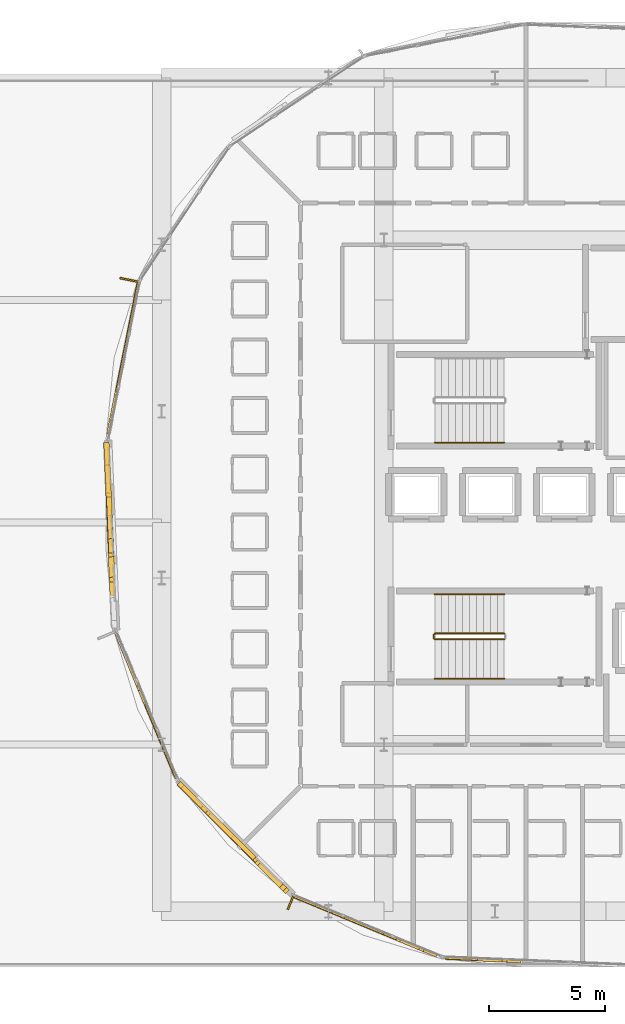
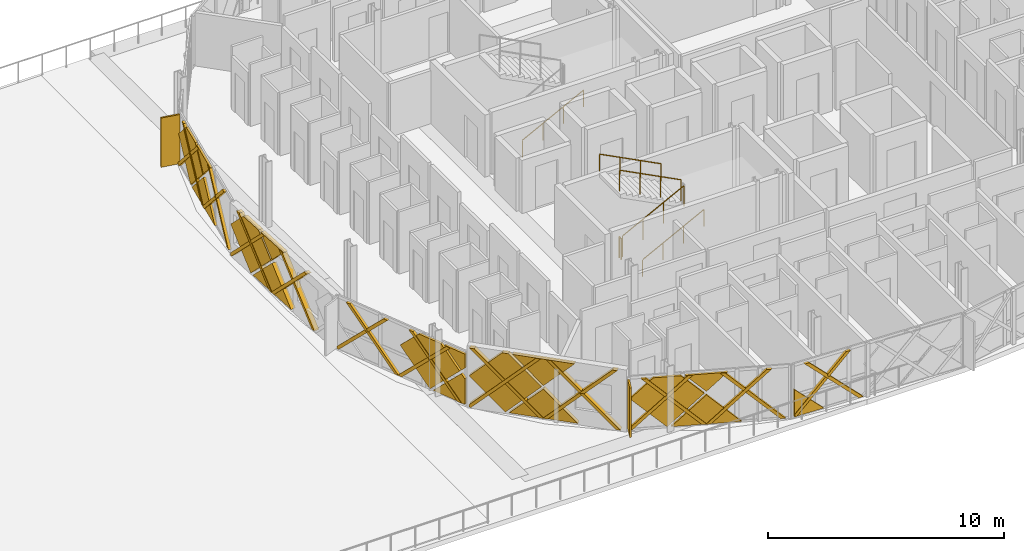
# One storey, part 41 of 53: 38 coverings, 6 railings, 2 shading devices.
"""IFC4 building model written with IfcOpenShell, lengths in metres."""

import ifcopenshell
import ifcopenshell.guid

model = None  # the IFC model being written
_history = None  # IfcOwnerHistory: only IFC2X3 demands one
_inside = {}  # id of a spatial element -> (the spatial element, [elements in it])
_under = {}  # id of a project, library or spatial element -> (it, [spatial elements below it])
_declared = {}  # id of a project -> (the project, [libraries it declares])
_typed = {}  # id of a type object -> (the type object, [elements of that type])
_made_of = {}  # id of a material, layer set ... -> (it, [elements and type objects made of it])


def new_model(schema):
    """Start an empty IFC model of exactly this schema.

    Asked for "IFC4X3", IfcOpenShell would pick the latest addendum, in which some entities
    have other attributes; the version numbers below select the first issue.
    IFC2X3 requires an IfcOwnerHistory on every rooted entity: one is made here for all.
    """
    global model, _history
    if schema == "IFC4X3":
        model = ifcopenshell.file(schema_version=(4, 3, 0, 0))
    else:
        model = ifcopenshell.file(schema=schema)
    _inside.clear()
    _under.clear()
    _declared.clear()
    _typed.clear()
    _made_of.clear()
    _history = None
    if model.schema == "IFC2X3":
        org = make("IfcOrganization", Name="unknown")
        user = make(
            "IfcPersonAndOrganization",
            ThePerson=make("IfcPerson", FamilyName="unknown"),
            TheOrganization=org,
        )
        app = make(
            "IfcApplication",
            ApplicationDeveloper=org,
            Version="unknown",
            ApplicationFullName="unknown",
            ApplicationIdentifier="unknown",
        )
        _history = make(
            "IfcOwnerHistory",
            OwningUser=user,
            OwningApplication=app,
            ChangeAction="ADDED",
            CreationDate=0,
        )
    return model


def make(cls, **values):
    """One entity of the class cls with the attributes given. An attribute that is None is left unset."""
    return model.create_entity(
        cls, **{name: value for name, value in values.items() if value is not None}
    )


def rooted(cls, **values):
    """An entity with a GlobalId (a new one), such as an element, a storey or a relation."""
    return make(cls, GlobalId=ifcopenshell.guid.new(), OwnerHistory=_history, **values)


def si_unit(unit_type, name, prefix=None):
    """IfcSIUnit, for example si_unit("LENGTHUNIT", "METRE", prefix="MILLI")."""
    return make("IfcSIUnit", UnitType=unit_type, Prefix=prefix, Name=name)


def assignment(units):
    """IfcUnitAssignment: the units of a project."""
    return None if units is None else make("IfcUnitAssignment", Units=units)


def point(xyz):
    """IfcCartesianPoint."""
    return None if xyz is None else make("IfcCartesianPoint", Coordinates=xyz)


def direction(xyz):
    """IfcDirection."""
    return None if xyz is None else make("IfcDirection", DirectionRatios=xyz)


def frame(location, z_axis=None, x_axis=None):
    """IfcAxis2Placement3D, a coordinate frame: its origin and axes. An axis left out is left unset."""
    return make(
        "IfcAxis2Placement3D",
        Location=point(location),
        Axis=direction(z_axis),
        RefDirection=direction(x_axis),
    )


def frame_2d(location, x_axis=None):
    """IfcAxis2Placement2D, a coordinate frame in the plane: its origin and x axis."""
    return make(
        "IfcAxis2Placement2D", Location=point(location), RefDirection=direction(x_axis)
    )


def origin():
    """The frame at (0, 0, 0) with its axes left unset."""
    return frame((0.0, 0.0, 0.0))


def origin_2d():
    """The frame at (0, 0) in the plane with its x axis left unset."""
    return frame_2d((0.0, 0.0))


def place(relative_to, where):
    """IfcLocalPlacement: puts the frame where relative to a parent placement (None: the world)."""
    return make(
        "IfcLocalPlacement", PlacementRelTo=relative_to, RelativePlacement=where
    )


def context(
    kind, dimensions, precision=None, world=None, true_north=None, identifier=None
):
    """IfcGeometricRepresentationContext, for example the 3D "Model" context."""
    return make(
        "IfcGeometricRepresentationContext",
        ContextIdentifier=identifier,
        ContextType=kind,
        CoordinateSpaceDimension=dimensions,
        Precision=precision,
        WorldCoordinateSystem=world,
        TrueNorth=true_north,
    )


def subcontext(parent, identifier, kind, view, scale=None):
    """IfcGeometricRepresentationSubContext, for example "Body" below "Model"."""
    return make(
        "IfcGeometricRepresentationSubContext",
        ContextIdentifier=identifier,
        ContextType=kind,
        ParentContext=parent,
        TargetScale=scale,
        TargetView=view,
    )


def project(units=None, contexts=None):
    """IfcProject with its units and contexts."""
    return rooted(
        "IfcProject",
        Name="project",
        RepresentationContexts=contexts,
        UnitsInContext=assignment(units),
    )


def spatial(cls, under=None, at=None, **own):
    """A site, building, storey or space (cls), placed at a placement, below another one or the project."""
    s = rooted(cls, ObjectPlacement=at, **own)
    if under is not None:
        _under.setdefault(under.id(), (under, []))[1].append(s)
    return s


def polyline(points):
    """IfcPolyline through the points."""
    return make("IfcPolyline", Points=[point(p) for p in points])


def profile(cls, at=None, kind="AREA", **sizes):
    """A parametric profile (cls). Its sizes go by their IFC names, for example OverallWidth=200.0."""
    return make(cls, ProfileType=kind, Position=at, **sizes)


def rectangle(**sizes):
    """IfcRectangleProfileDef."""
    return profile("IfcRectangleProfileDef", **sizes)


def circle(**sizes):
    """IfcCircleProfileDef."""
    return profile("IfcCircleProfileDef", **sizes)


def outline(outer, holes=None, kind="AREA"):
    """IfcArbitraryClosedProfileDef: a profile drawn as a closed curve; with holes, ...WithVoids."""
    if holes is None:
        return make("IfcArbitraryClosedProfileDef", ProfileType=kind, OuterCurve=outer)
    return make(
        "IfcArbitraryProfileDefWithVoids",
        ProfileType=kind,
        OuterCurve=outer,
        InnerCurves=holes,
    )


def extrude(swept, where, along, depth):
    """IfcExtrudedAreaSolid: the profile swept, set in the frame where, extruded along a direction by depth."""
    return make(
        "IfcExtrudedAreaSolid",
        SweptArea=swept,
        Position=where,
        ExtrudedDirection=direction(along),
        Depth=depth,
    )


def shape(context_of_items, identifier, shape_type, items):
    """IfcShapeRepresentation: the items that make up one representation, for example the "Body"."""
    return make(
        "IfcShapeRepresentation",
        ContextOfItems=context_of_items,
        RepresentationIdentifier=identifier,
        RepresentationType=shape_type,
        Items=items,
    )


def material(Name=None, Category=None):
    """IfcMaterial."""
    return make("IfcMaterial", Name=Name, Category=Category)


def layer(
    of_material, thickness, ventilated=None, Name=None, Category=None, Priority=None
):
    """IfcMaterialLayer: one layer of a wall or slab, of a material (None: an air gap)."""
    return make(
        "IfcMaterialLayer",
        Material=of_material,
        LayerThickness=thickness,
        IsVentilated=ventilated,
        Name=Name,
        Category=Category,
        Priority=Priority,
    )


def layer_set(layers, Name=None):
    """IfcMaterialLayerSet."""
    return make("IfcMaterialLayerSet", MaterialLayers=layers, LayerSetName=Name)


def made_of(thing, what):
    """Note that an element or type object is made of a material, layer set ...; save() writes the relation."""
    if what is not None:
        _made_of.setdefault(what.id(), (what, []))[1].append(thing)
    return thing


def type_object(cls, material=None, **own):
    """A type object (cls), such as IfcWallType, which elements share."""
    return made_of(rooted(cls, **own), material)


def element(
    cls,
    number,
    at=None,
    inside=None,
    cuts=None,
    type_object=None,
    material=None,
    context=None,
    identifier="Body",
    shape_type=None,
    held_by="IfcProductDefinitionShape",
    body=None,
    shapes=None,
    **own,
):
    """One element of the class cls, such as IfcWall. Its Tag is "e" and its number.

    at: its placement. inside: the storey or other place that contains it. cuts: it is an
    opening in that element (IfcRelVoidsElement). A single representation is given by context,
    identifier, shape_type and body (its items); several are given by shapes. held_by: the class
    of the entity that holds the representations. save() writes the other relations.
    """
    e = rooted(cls, Tag="e%d" % number, ObjectPlacement=at, **own)
    if body is not None:
        shapes = [shape(context, identifier, shape_type, body)]
    if shapes is not None:
        e.Representation = make(held_by, Representations=shapes)
    if inside is not None:
        _inside.setdefault(inside.id(), (inside, []))[1].append(e)
    if cuts is not None:
        rooted(
            "IfcRelVoidsElement", RelatingBuildingElement=cuts, RelatedOpeningElement=e
        )
    if type_object is not None:
        _typed.setdefault(type_object.id(), (type_object, []))[1].append(e)
    return made_of(e, material)


def aggregate(whole, parts):
    """IfcRelAggregates: a whole, such as a stair, and the parts it consists of."""
    return rooted("IfcRelAggregates", RelatingObject=whole, RelatedObjects=parts)


def save(model, path):
    """Write the relations noted so far, then the file.

    IfcRelAggregates (storeys below a building ...), IfcRelContainedInSpatialStructure (elements
    in a storey), IfcRelDefinesByType, IfcRelAssociatesMaterial and IfcRelDeclares: one each for
    every whole, place, type object, material and project.
    """
    for whole, parts in _under.values():
        aggregate(whole, parts)
    for where, things in _inside.values():
        rooted(
            "IfcRelContainedInSpatialStructure",
            RelatedElements=things,
            RelatingStructure=where,
        )
    for kind, things in _typed.values():
        rooted("IfcRelDefinesByType", RelatedObjects=things, RelatingType=kind)
    for what, things in _made_of.values():
        rooted("IfcRelAssociatesMaterial", RelatedObjects=things, RelatingMaterial=what)
    for by, libraries in _declared.values():
        rooted("IfcRelDeclares", RelatingContext=by, RelatedDefinitions=libraries)
    model.write(path)


model = new_model("IFC4")

# Units and contexts
model_context = context("Model", 3, precision=1e-05, world=origin(), true_north=direction((0.0, 1.0)))
body_context = subcontext(model_context, "Body", "Model", "MODEL_VIEW")
ifc_project = project(units=[si_unit("LENGTHUNIT", "METRE"), si_unit("AREAUNIT", "SQUARE_METRE"), si_unit("VOLUMEUNIT", "CUBIC_METRE"), si_unit("PLANEANGLEUNIT", "RADIAN"), si_unit("MASSUNIT", "GRAM", prefix="KILO")], contexts=[model_context])

# Site, building, storey
site_placement = place(None, origin())
site = spatial("IfcSite", under=ifc_project, at=site_placement, CompositionType="ELEMENT")
building_placement = place(site_placement, origin())
building = spatial("IfcBuilding", under=site, at=building_placement, Name="Zevrakil Square Congress Hotel", CompositionType="ELEMENT")
storey_placement = place(building_placement, frame((0.0, 0.0, 14.699951171875)))
storey = spatial("IfcBuildingStorey", under=building, at=storey_placement, Name="L04", CompositionType="ELEMENT", Elevation=14.699951171875)

# Coverings
ifc_material_1 = material(Name="Architectural White Fibre-C GRC", Category="concrete")
ifc_layer_1 = layer(ifc_material_1, 0.06494140625)
ifc_layer_set_1 = layer_set([ifc_layer_1], Name="Architectural White Fibre-C GRC")
covering_type_1 = type_object("IfcCoveringType", Name="COV-DIA-WHITE", PredefinedType="CLADDING", material=ifc_layer_set_1)
covering_1_placement = place(storey_placement, frame((125.509033203125, 33.549072265625, 1.590087890625), z_axis=(-0.980775849818, 0.195136643984, 0.000650068185), x_axis=(-0.138441050637, -0.693462768921, -0.707066802798)))
element("IfcCovering", 1, at=covering_1_placement, inside=storey, type_object=covering_type_1, Name="L04 45-degree white GRC diamond facade cassette 2283", PredefinedType="CLADDING", context=body_context, shape_type="SweptSolid", body=[
    extrude(outline(polyline([(0.0, 0.0), (2.1355970322025484, 2.220446049250313e-16), (-0.00014038760997481248, -2.135496842071842), (0.0, 0.0)])), origin(), (0.0, 0.0, -1.0), 0.1201171875),
])
covering_2_placement = place(storey_placement, frame((125.526611328125, 33.63720703125, 1.679931640625), z_axis=(-0.980786672054, 0.195082367935, 0.000611262739), x_axis=(0.137533125771, 0.693670297419, -0.707040421613)))
element("IfcCovering", 2, at=covering_2_placement, inside=storey, type_object=covering_type_1, Name="L04 45-degree white GRC diamond facade cassette 2284", PredefinedType="CLADDING", context=body_context, shape_type="SweptSolid", body=[
    extrude(outline(polyline([(0.0, 0.0), (2.2485897687934857, -2.220446049250313e-16), (2.248668032732887, -2.234437480080863), (2.2346860322078315, -2.2484220998315005), (0.8486604890093866, -2.24877344795404), (8.445193084627434e-06, -1.4002803336070746), (0.0, 0.0)])), origin(), (0.0, 0.0, -1.0), 0.1201171875),
])
covering_3_placement = place(storey_placement, frame((125.509033203125, 33.549072265625, 1.77001953125), z_axis=(-0.980767792268, 0.195176995308, 0.000691485755), x_axis=(0.138479244855, 0.693355221816, 0.7071647864)))
element("IfcCovering", 3, at=covering_3_placement, inside=storey, type_object=covering_type_1, Name="L04 45-degree white GRC diamond facade cassette 2285", PredefinedType="CLADDING", context=body_context, shape_type="SweptSolid", body=[
    extrude(outline(polyline([(0.0, 0.0), (1.2728949485128953, 0.0), (0.0002086100607002761, -1.2728957742873925), (0.0, 0.0)])), origin(), (0.0, 0.0, -1.0), 0.1201171875),
])
covering_4_placement = place(storey_placement, frame((124.85205078125, 26.59033203125, 1.590087890625), z_axis=(-0.999119271744, -0.041956703781, 0.000561995004), x_axis=(0.029269129742, -0.706460752641, -0.707146747869)))
element("IfcCovering", 4, at=covering_4_placement, inside=storey, type_object=covering_type_1, Name="L04 45-degree white GRC diamond facade cassette 2290", PredefinedType="CLADDING", context=body_context, shape_type="SweptSolid", body=[
    extrude(outline(polyline([(0.0, 0.0), (2.1353555965219746, 0.0), (1.8897248110993914e-05, -2.1355787788606304), (0.0, 0.0)])), origin(), (0.0, 0.0, -1.0), 0.219970703125),
])
covering_5_placement = place(storey_placement, frame((124.848388671875, 26.680419921875, 1.679931640625), z_axis=(-0.999117806956, -0.041990673129, 0.000625454425), x_axis=(-0.030133526378, 0.706458695231, -0.707112496369)))
element("IfcCovering", 5, at=covering_5_placement, inside=storey, type_object=covering_type_1, Name="L04 45-degree white GRC diamond facade cassette 2291", PredefinedType="CLADDING", context=body_context, shape_type="SweptSolid", body=[
    extrude(outline(polyline([(0.0, 0.0), (2.248360311116085, 0.0), (2.24843650511624, -2.234662988898283), (2.2344530792847235, -2.248646183218731), (0.8482676953731414, -2.2486965139453434), (-0.00028120409884557773, -1.4001336954033685), (0.0, 0.0)])), origin(), (0.0, 0.0, -1.0), 0.219970703125),
])
covering_6_placement = place(storey_placement, frame((124.852294921875, 26.590576171875, 1.77001953125), z_axis=(-0.999115443511, -0.042048029798, 0.000541966609), x_axis=(-0.029346194339, 0.70641852125, 0.707185742017)))
element("IfcCovering", 6, at=covering_6_placement, inside=storey, type_object=covering_type_1, Name="L04 45-degree white GRC diamond facade cassette 2293", PredefinedType="CLADDING", context=body_context, shape_type="SweptSolid", body=[
    extrude(outline(polyline([(0.0, 0.0), (1.2728572295693312, -1.1102230246251565e-16), (0.00025563099165415437, -1.2728862365817422), (0.0, 0.0)])), origin(), (0.0, 0.0, -1.0), 0.219970703125),
])
covering_7_placement = place(storey_placement, frame((127.7197265625, 15.497802734375, 1.590087890625), z_axis=(-0.92388494326, -0.382669900942, 0.000598773889), x_axis=(0.270170334614, -0.653382309073, -0.707177169092)))
element("IfcCovering", 7, at=covering_7_placement, inside=storey, type_object=covering_type_1, Name="L04 45-degree white GRC diamond facade cassette 2300", PredefinedType="CLADDING", context=body_context, shape_type="SweptSolid", body=[
    extrude(outline(polyline([(0.0, 0.0), (0.26272196199463266, -2.7755575615628914e-17), (1.1993003845459453, -0.9361500553525347), (0.00019872218424832333, -2.1354908492751), (0.0, 0.0)])), origin(), (0.0, 0.0, -1.0), 0.1201171875),
])
covering_8_placement = place(storey_placement, frame((127.685302734375, 15.580810546875, 1.679931640625), z_axis=(-0.923902725311, -0.382626898867, 0.000640644788), x_axis=(-0.271002285684, 0.653186667851, -0.707039559074)))
element("IfcCovering", 8, at=covering_8_placement, inside=storey, type_object=covering_type_1, Name="L04 45-degree white GRC diamond facade cassette 2301", PredefinedType="CLADDING", context=body_context, shape_type="SweptSolid", body=[
    extrude(outline(polyline([(0.0, 0.0), (2.248592360241622, 0.0), (2.2488095099530137, -2.2483828769483702), (0.8346218178212041, -2.248543267923124), (9.66994491053974e-05, -1.4141763411495518), (0.0, 0.0)])), origin(), (0.0, 0.0, -1.0), 0.1201171875),
])
covering_9_placement = place(storey_placement, frame((127.7197265625, 15.497802734375, 1.77001953125), z_axis=(-0.923822296254, -0.382820812681, 0.000768324281), x_axis=(-0.27018539557, 0.653429979222, 0.707127367788)))
element("IfcCovering", 9, at=covering_9_placement, inside=storey, type_object=covering_type_1, Name="L04 45-degree white GRC diamond facade cassette 2302", PredefinedType="CLADDING", context=body_context, shape_type="SweptSolid", body=[
    extrude(outline(polyline([(0.0, 0.0), (1.286772595575607, 0.0), (0.5120413447348222, -0.7747768081900195), (-3.2100589108713384e-05, -0.26278809455322283), (0.0, 0.0)])), origin(), (0.0, 0.0, -1.0), 0.1201171875),
])
covering_10_placement = place(storey_placement, frame((130.17236328125, 12.7744140625, 1.590087890625), z_axis=(-0.707106614827, -0.707106614827, 0.000685956296), x_axis=(0.499688110054, -0.500374023726, -0.70706267689)))
element("IfcCovering", 10, at=covering_10_placement, inside=storey, type_object=covering_type_1, Name="L04 45-degree white GRC diamond facade cassette 2307", PredefinedType="CLADDING", context=body_context, shape_type="SweptSolid", body=[
    extrude(outline(polyline([(0.0, 0.0), (2.1356094940087047, 0.0), (-2.1239432958841675e-05, -2.1353653520635065), (0.0, 0.0)])), origin(), (0.0, 0.0, -1.0), 0.2099609375),
])
covering_11_placement = place(storey_placement, frame((130.108642578125, 12.837890625, 1.679931640625), z_axis=(-0.707143542499, -0.707069789331, 0.000568609886), x_axis=(-0.500275605393, 0.499759168451, -0.707082097212)))
element("IfcCovering", 11, at=covering_11_placement, inside=storey, type_object=covering_type_1, Name="L04 45-degree white GRC diamond facade cassette 2308", PredefinedType="CLADDING", context=body_context, shape_type="SweptSolid", body=[
    extrude(outline(polyline([(0.0, 0.0), (2.2484569783863684, -2.220446049250313e-16), (2.2485601322553492, -2.2345936886813904), (2.234577307579035, -2.2485774850902494), (0.19090890659888005, -2.248615790351759), (-1.5701102765719455e-05, -2.057704461303545), (0.0, 0.0)])), origin(), (0.0, 0.0, -1.0), 0.2099609375),
])
covering_12_placement = place(storey_placement, frame((130.17236328125, 12.7744140625, 1.77001953125), z_axis=(-0.707061948463, -0.707151382051, 0.00056912138), x_axis=(-0.499719561869, 0.500225478915, 0.707145550597)))
element("IfcCovering", 12, at=covering_12_placement, inside=storey, type_object=covering_type_1, Name="L04 45-degree white GRC diamond facade cassette 2309", PredefinedType="CLADDING", context=body_context, shape_type="SweptSolid", body=[
    extrude(outline(polyline([(0.0, 0.0), (1.9302818680281644, 1.1102230246251565e-16), (9.016587972299206e-05, -1.930404002858788), (0.0, 0.0)])), origin(), (0.0, 0.0, -1.0), 0.2099609375),
])
covering_13_placement = place(storey_placement, frame((135.93798828125, 8.943359375, 1.590087890625), z_axis=(-0.382680111763, -0.923880650051, 0.000690306026), x_axis=(0.65312018165, -0.271056879169, -0.707080049624)))
element("IfcCovering", 13, at=covering_13_placement, inside=storey, type_object=covering_type_1, Name="L04 45-degree white GRC diamond facade cassette 2314", PredefinedType="CLADDING", context=body_context, shape_type="SweptSolid", body=[
    extrude(outline(polyline([(0.0, 0.0), (2.135557022754429, 2.220446049250313e-16), (-0.00011041427235092272, -2.1355069895912147), (0.0, 0.0)])), origin(), (0.0, 0.0, -1.0), 0.1201171875),
])
covering_14_placement = place(storey_placement, frame((135.854736328125, 8.977783203125, 1.679931640625), z_axis=(-0.382678783917, -0.92388127954, 0.000574156763), x_axis=(-0.653458509129, 0.270228151279, -0.707084664735)))
element("IfcCovering", 14, at=covering_14_placement, inside=storey, type_object=covering_type_1, Name="L04 45-degree white GRC diamond facade cassette 2315", PredefinedType="CLADDING", context=body_context, shape_type="SweptSolid", body=[
    extrude(outline(polyline([(0.0, 0.0), (2.2484488557678945, -2.220446049250313e-16), (2.2485193715330114, -2.2345692462890203), (2.2345364960829213, -2.248552991838812), (0.8343303334369535, -2.2484482305839526), (1.781025012825843e-05, -1.4141877003168686), (0.0, 0.0)])), origin(), (0.0, 0.0, -1.0), 0.1201171875),
])
covering_15_placement = place(storey_placement, frame((135.93798828125, 8.943359375, 1.77001953125), z_axis=(-0.38260450095, -0.923912061026, 0.000547122719), x_axis=(-0.653190612518, 0.270913794562, 0.707069826562)))
element("IfcCovering", 15, at=covering_15_placement, inside=storey, type_object=covering_type_1, Name="L04 45-degree white GRC diamond facade cassette 2316", PredefinedType="CLADDING", context=body_context, shape_type="SweptSolid", body=[
    extrude(outline(polyline([(0.0, 0.0), (1.2868773000806843, 0.0), (-2.9411467146078785e-05, -1.2867725952937015), (0.0, 0.0)])), origin(), (0.0, 0.0, -1.0), 0.1201171875),
])
covering_16_placement = place(storey_placement, frame((140.846923828125, 7.476806640625, 0.080078125), z_axis=(-0.041896976146, -0.999121691481, 0.000699287228), x_axis=(-0.999121935767, 0.04189698639, 0.0)))
element("IfcCovering", 16, at=covering_16_placement, inside=storey, type_object=covering_type_1, Name="L04 45-degree white GRC diamond facade cassette 2321", PredefinedType="CLADDING", context=body_context, shape_type="SweptSolid", body=[
    extrude(outline(polyline([(0.0, 0.0), (1.4101737700243122, 0.0), (1.4099707587962338, -1.4099124541004895), (0.0, 0.0)])), origin(), (0.0, 0.0, -1.0), 0.1201171875),
])
ifc_material_2 = material(Name="Anodised Champagne Aluminium", Category="aluminium")
ifc_layer_2 = layer(ifc_material_2, 0.0849609375)
ifc_layer_set_2 = layer_set([ifc_layer_2], Name="Anodised Champagne Aluminium")
covering_type_2 = type_object("IfcCoveringType", Name="COV-DIAGRID-45", PredefinedType="MOLDING", material=ifc_layer_set_2)
covering_17_placement = place(storey_placement, frame((126.102783203125, 36.6669921875, 0.080078125), z_axis=(-0.980857672001, 0.194725822056, 0.000285482828), x_axis=(0.194725829838, 0.980857712002, -5.47954e-07)))
element("IfcCovering", 17, at=covering_17_placement, inside=storey, type_object=covering_type_2, Name="L04 45-degree aluminium diagrid rib 2286", PredefinedType="MOLDING", context=body_context, shape_type="SweptSolid", body=[
    extrude(outline(polyline([(0.0, 0.0), (0.08608840937051795, 0.0), (0.08613588082699201, -0.1259766257562357), (-2.3779128699756718, -2.5900866679123276), (-2.5899732791231918, -2.5900865615720754), (0.0, 0.0)])), origin(), (0.0, 0.0, -1.0), 0.14501953125),
])
covering_18_placement = place(storey_placement, frame((125.447265625, 33.37158203125, 0.080078125), z_axis=(-0.980779218513, 0.195119809317, 0.000620116726), x_axis=(0.195119847046, 0.980779407048, 3.50024e-07)))
element("IfcCovering", 18, at=covering_18_placement, inside=storey, type_object=covering_type_2, Name="L04 45-degree aluminium diagrid rib 2287", PredefinedType="MOLDING", context=body_context, shape_type="SweptSolid", body=[
    extrude(outline(polyline([(0.0, 0.0), (0.21210801484432787, 0.0), (-2.377910090779891, -2.5900892209531405), (-2.5899704689428114, -2.5900893694222367), (0.0, 0.0)])), origin(), (0.0, 0.0, -1.0), 0.14501953125),
])
covering_19_placement = place(storey_placement, frame((126.026611328125, 36.276611328125, 2.670166015625), z_axis=(-0.980801096102, 0.195009719401, 0.000647474708), x_axis=(-0.195009759999, -0.980801301745, 4.37744e-07)))
element("IfcCovering", 19, at=covering_19_placement, inside=storey, type_object=covering_type_2, Name="L04 45-degree aluminium diagrid rib 2288", PredefinedType="MOLDING", context=body_context, shape_type="SweptSolid", body=[
    extrude(outline(polyline([(0.0, 0.0), (0.2122998437081119, 0.0), (2.8021708299829466, -2.5900896601732337), (2.590062829912956, -2.59008947439102), (0.0, 0.0)])), origin(), (0.0, 0.0, -1.0), 0.14501953125),
])
covering_20_placement = place(storey_placement, frame((125.37109375, 32.98095703125, 2.670166015625), z_axis=(-0.980801096102, 0.195009719401, 0.000647474708), x_axis=(-0.195009760091, -0.980801301727, 2.92874e-07)))
element("IfcCovering", 20, at=covering_20_placement, inside=storey, type_object=covering_type_2, Name="L04 45-degree aluminium diagrid rib 2289", PredefinedType="MOLDING", context=body_context, shape_type="SweptSolid", body=[
    extrude(outline(polyline([(0.0, 0.0), (0.2120603902653053, -3.3881317890172014e-21), (2.802171205210871, -2.5900892542209184), (2.5898237516980513, -2.5900891299229416), (0.0, 0.0)])), origin(), (0.0, 0.0, -1.0), 0.14501953125),
])
covering_21_placement = place(storey_placement, frame((124.693115234375, 29.760498046875, 0.080078125), z_axis=(-0.999117130594, -0.04200779731, 0.000551651077), x_axis=(-0.042007803875, 0.999117282612, -3.13173e-07)))
element("IfcCovering", 21, at=covering_21_placement, inside=storey, type_object=covering_type_2, Name="L04 45-degree aluminium diagrid rib 2294", PredefinedType="MOLDING", context=body_context, shape_type="SweptSolid", body=[
    extrude(outline(polyline([(0.0, 0.0), (0.08601547864684166, -8.470329472543003e-22), (0.08601543919435495, -0.1259765433314672), (-2.3778922944721446, -2.590087540479302), (-2.589988505958108, -2.5900874074500315), (0.0, 0.0)])), origin(), (0.0, 0.0, -1.0), 0.2451171875),
])
covering_22_placement = place(storey_placement, frame((124.833984375, 26.403564453125, 0.080078125), z_axis=(-0.999115888386, -0.042037729021, 0.000520493434), x_axis=(-0.042037734554, 0.99911602373, 3.11894e-07)))
element("IfcCovering", 22, at=covering_22_placement, inside=storey, type_object=covering_type_2, Name="L04 45-degree aluminium diagrid rib 2295", PredefinedType="MOLDING", context=body_context, shape_type="SweptSolid", body=[
    extrude(outline(polyline([(0.0, 0.0), (0.21209620777376323, 8.470329472543003e-22), (-2.378134642063596, -2.5900889831963445), (-2.589997188145666, -2.590089115426615), (0.0, 0.0)])), origin(), (0.0, 0.0, -1.0), 0.2451171875),
])
covering_23_placement = place(storey_placement, frame((124.711181640625, 29.363037109375, 2.670166015625), z_axis=(-0.999093061083, -0.042563550098, 0.001183004567), x_axis=(0.042563579916, -0.999093760197, 2.8979e-08)))
element("IfcCovering", 23, at=covering_23_placement, inside=storey, type_object=covering_type_2, Name="L04 45-degree aluminium diagrid rib 2297", PredefinedType="MOLDING", context=body_context, shape_type="SweptSolid", body=[
    extrude(outline(polyline([(0.0, 0.0), (0.2121065030048717, 1.6940658945086007e-21), (2.802213671519542, -2.590089784245488), (2.589863249139622, -2.590089771945229), (0.0, 0.0)])), origin(), (0.0, 0.0, -1.0), 0.2451171875),
])
covering_24_placement = place(storey_placement, frame((124.852294921875, 26.006103515625, 2.670166015625), z_axis=(-0.999116868115, -0.042013554938, 0.000587408691), x_axis=(0.042013561988, -0.999117040496, -3.3778e-07)))
element("IfcCovering", 24, at=covering_24_placement, inside=storey, type_object=covering_type_2, Name="L04 45-degree aluminium diagrid rib 2298", PredefinedType="MOLDING", context=body_context, shape_type="SweptSolid", body=[
    extrude(outline(polyline([(0.0, 0.0), (0.21209621078658944, 8.470329472543003e-22), (2.802215883647075, -2.5900873909464726), (2.5901094156432034, -2.590087534233637), (0.0, 0.0)])), origin(), (0.0, 0.0, -1.0), 0.2451171875),
])
covering_25_placement = place(storey_placement, frame((125.1953125, 21.5244140625, 0.080078125), z_axis=(-0.923943195244, -0.38252892309, 0.000771337871), x_axis=(-0.382529036928, 0.923943470082, -6.0996e-08)))
element("IfcCovering", 25, at=covering_25_placement, inside=storey, type_object=covering_type_2, Name="L04 45-degree aluminium diagrid rib 2303", PredefinedType="MOLDING", context=body_context, shape_type="SweptSolid", body=[
    extrude(outline(polyline([(0.0, 0.0), (0.08614428496874284, 0.0), (0.0860508864065392, -0.12597669901098824), (-2.3879412396746833, -2.5998541213019584), (-2.6001748275098318, -2.5998542029582623), (0.0, 0.0)])), origin(), (0.0, 0.0, -1.0), 0.14501953125),
])
covering_26_placement = place(storey_placement, frame((126.481201171875, 18.420166015625, 0.080078125), z_axis=(-0.923841302303, -0.382775368244, 0.000515387888), x_axis=(-0.382775419158, 0.923841424969, -1.60391e-07)))
element("IfcCovering", 26, at=covering_26_placement, inside=storey, type_object=covering_type_2, Name="L04 45-degree aluminium diagrid rib 2304", PredefinedType="MOLDING", context=body_context, shape_type="SweptSolid", body=[
    extrude(outline(polyline([(0.0, 0.0), (0.21223361299549906, 0.0), (-2.38794194033116, -2.59985347791302), (-2.5998565550736985, -2.5998534098834063), (0.0, 0.0)])), origin(), (0.0, 0.0, -1.0), 0.14501953125),
])
covering_27_placement = place(storey_placement, frame((125.34521484375, 21.16650390625, 2.679931640625), z_axis=(-0.923756641492, -0.382978906853, 0.000907857056), x_axis=(0.382979065085, -0.923757022007, 4.82873e-07)))
element("IfcCovering", 27, at=covering_27_placement, inside=storey, type_object=covering_type_2, Name="L04 45-degree aluminium diagrid rib 2305", PredefinedType="MOLDING", context=body_context, shape_type="SweptSolid", body=[
    extrude(outline(polyline([(0.0, 0.0), (0.212008095781872, -1.3552527156068805e-20), (2.8118688202168705, -2.5998559448066296), (2.59995422518331, -2.5998557401058484), (0.0, 0.0)])), origin(), (0.0, 0.0, -1.0), 0.14501953125),
])
covering_28_placement = place(storey_placement, frame((126.631103515625, 18.0625, 2.679931640625), z_axis=(-0.923721722079, -0.383062681759, 0.001077962882), x_axis=(0.383062904319, -0.923722258763, 0.0)))
element("IfcCovering", 28, at=covering_28_placement, inside=storey, type_object=covering_type_2, Name="L04 45-degree aluminium diagrid rib 2306", PredefinedType="MOLDING", context=body_context, shape_type="SweptSolid", body=[
    extrude(outline(polyline([(0.0, 0.0), (0.21223362327273487, 1.3552527156068805e-20), (2.8123208860710704, -2.599855026146376), (2.600087262798336, -2.599855026146376), (0.0, 0.0)])), origin(), (0.0, 0.0, -1.0), 0.14501953125),
])
covering_29_placement = place(storey_placement, frame((127.90966796875, 15.000244140625, 0.080078125), z_axis=(-0.707265602611, -0.706947428242, 0.000837296072), x_axis=(-0.706947676162, 0.707265850419, -1.88378e-07)))
element("IfcCovering", 29, at=covering_29_placement, inside=storey, type_object=covering_type_2, Name="L04 45-degree aluminium diagrid rib 2310", PredefinedType="MOLDING", context=body_context, shape_type="SweptSolid", body=[
    extrude(outline(polyline([(0.0, 0.0), (0.08597147659148055, 0.0), (0.08614412518708064, -0.1259766628864768), (-2.842755780838946, -3.0549321597712), (-3.055094970010675, -3.0549321597712), (0.0, 0.0)])), origin(), (0.0, 0.0, -1.0), 0.235107421875),
])
covering_30_placement = place(storey_placement, frame((130.28564453125, 12.62451171875, 0.080078125), z_axis=(-0.706818917625, -0.707394503063, 0.000186341933), x_axis=(-0.707394515355, 0.706818929887, -7.578e-08)))
element("IfcCovering", 30, at=covering_30_placement, inside=storey, type_object=covering_type_2, Name="L04 45-degree aluminium diagrid rib 2311", PredefinedType="MOLDING", context=body_context, shape_type="SweptSolid", body=[
    extrude(outline(polyline([(0.0, 0.0), (0.21216661374353818, -3.3881317890172014e-21), (-2.842929036687849, -3.0549314782279255), (-3.0549229466922867, -3.05493144608525), (0.0, 0.0)])), origin(), (0.0, 0.0, -1.0), 0.235107421875),
])
covering_31_placement = place(storey_placement, frame((127.863525390625, 15.049072265625, 3.135009765625), z_axis=(-0.707106668284, -0.707106668284, 0.000565097633), x_axis=(0.707106781003, -0.70710678137, -4.59803e-07)))
element("IfcCovering", 31, at=covering_31_placement, inside=storey, type_object=covering_type_2, Name="L04 45-degree aluminium diagrid rib 2312", PredefinedType="MOLDING", context=body_context, shape_type="SweptSolid", body=[
    extrude(outline(polyline([(0.0, 0.0), (0.21216656105428683, 6.776263578034403e-21), (3.2672628648067525, -3.0549306261026574), (3.0550963037525554, -3.054930821212212), (0.0, 0.0)])), origin(), (0.0, 0.0, -1.0), 0.235107421875),
])
covering_32_placement = place(storey_placement, frame((130.239501953125, 12.673095703125, 3.135009765625), z_axis=(-0.706818576247, -0.707394161407, 0.001000339684), x_axis=(0.707394515057, -0.706818930185, -4.07138e-07)))
element("IfcCovering", 32, at=covering_32_placement, inside=storey, type_object=covering_type_2, Name="L04 45-degree aluminium diagrid rib 2313", PredefinedType="MOLDING", context=body_context, shape_type="SweptSolid", body=[
    extrude(outline(polyline([(0.0, 0.0), (0.21199391000445733, 0.0), (3.266916463738729, -3.0549318390421223), (3.054749849995244, -3.0549320117342686), (0.0, 0.0)])), origin(), (0.0, 0.0, -1.0), 0.235107421875),
])
covering_33_placement = place(storey_placement, frame((132.99560546875, 10.134033203125, 0.080078125), z_axis=(-0.382903958987, -0.923787794344, 0.000818054133), x_axis=(-0.923788103255, 0.382904087579, 6.21963e-07)))
element("IfcCovering", 33, at=covering_33_placement, inside=storey, type_object=covering_type_2, Name="L04 45-degree aluminium diagrid rib 2317", PredefinedType="MOLDING", context=body_context, shape_type="SweptSolid", body=[
    extrude(outline(polyline([(0.0, 0.0), (0.08591874643089377, -3.3881317890172014e-21), (0.0859188247836247, -0.12597652034741932), (-2.387945951494248, -2.599855903209658), (-2.6001795716303144, -2.5998560053616218), (0.0, 0.0)])), origin(), (0.0, 0.0, -1.0), 0.14501953125),
])
covering_34_placement = place(storey_placement, frame((136.099853515625, 8.84814453125, 0.080078125), z_axis=(-0.382571922959, -0.92392557635, 0.000503120745), x_axis=(-0.923925693338, 0.382571971255, -2.67483e-07)))
element("IfcCovering", 34, at=covering_34_placement, inside=storey, type_object=covering_type_2, Name="L04 45-degree aluminium diagrid rib 2318", PredefinedType="MOLDING", context=body_context, shape_type="SweptSolid", body=[
    extrude(outline(polyline([(0.0, 0.0), (0.21214019194507452, -6.776263578034403e-21), (-2.387948888449431, -2.5998532059402435), (-2.6001824817546755, -2.5998530924274226), (0.0, 0.0)])), origin(), (0.0, 0.0, -1.0), 0.14501953125),
])
covering_35_placement = place(storey_placement, frame((133.3544921875, 9.987060546875, 2.679931640625), z_axis=(-0.382571872864, -0.923925455367, 0.000717647922), x_axis=(0.923925693182, -0.382571971632, -3.81368e-07)))
element("IfcCovering", 35, at=covering_35_placement, inside=storey, type_object=covering_type_2, Name="L04 45-degree aluminium diagrid rib 2319", PredefinedType="MOLDING", context=body_context, shape_type="SweptSolid", body=[
    extrude(outline(polyline([(0.0, 0.0), (0.21223359330528244, 0.0), (2.8123159471255335, -2.5998531125841344), (2.600175755180513, -2.599853274426774), (0.0, 0.0)])), origin(), (0.0, 0.0, -1.0), 0.14501953125),
])
covering_36_placement = place(storey_placement, frame((136.458984375, 8.701171875, 2.679931640625), z_axis=(-0.382283762738, -0.924044336136, 0.001090689073), x_axis=(0.924044885659, -0.382283990363, -2.4018e-07)))
element("IfcCovering", 36, at=covering_36_placement, inside=storey, type_object=covering_type_2, Name="L04 45-degree aluminium diagrid rib 2320", PredefinedType="MOLDING", context=body_context, shape_type="SweptSolid", body=[
    extrude(outline(polyline([(0.0, 0.0), (0.21191461989717528, 1.3552527156068805e-20), (2.812089265053041, -2.599854386616157), (2.599949048259953, -2.5998544884654997), (0.0, 0.0)])), origin(), (0.0, 0.0, -1.0), 0.14501953125),
])
covering_37_placement = place(storey_placement, frame((139.523193359375, 7.50732421875, 0.080078125), z_axis=(-0.042196374029, -0.999108987655, 0.000834749092), x_axis=(-0.99910933574, 0.042196388911, 2.1574e-07)))
element("IfcCovering", 37, at=covering_37_placement, inside=storey, type_object=covering_type_2, Name="L04 45-degree aluminium diagrid rib 2325", PredefinedType="MOLDING", context=body_context, shape_type="SweptSolid", body=[
    extrude(outline(polyline([(0.0, 0.0), (0.0862594095092493, -4.235164736271502e-22), (0.08625943668742922, -0.12597651860937412), (-2.3777572279401418, -2.5900893294848566), (-2.5898637147106562, -2.590089305835821), (0.0, 0.0)])), origin(), (0.0, 0.0, -1.0), 0.14501953125),
])
covering_38_placement = place(storey_placement, frame((139.920654296875, 7.4921875, 2.670166015625), z_axis=(-0.041439000778, -0.9991403521, 0.00116876896), x_axis=(0.999141034524, -0.041439029082, 0.0)))
element("IfcCovering", 38, at=covering_38_placement, inside=storey, type_object=covering_type_2, Name="L04 45-degree aluminium diagrid rib 2328", PredefinedType="MOLDING", context=body_context, shape_type="SweptSolid", body=[
    extrude(outline(polyline([(0.0, 0.0), (0.2120962458528741, 0.0), (2.8020928928401565, -2.5900896596838856), (2.589996646987282, -2.5900896596838856), (0.0, 0.0)])), origin(), (0.0, 0.0, -1.0), 0.14501953125),
])

# Railings
ifc_material_3 = material(Name="Steel S355", Category="steel")
railing_type_1 = type_object("IfcRailingType", Name="RLG-STAIR-GUARD-1100", PredefinedType="BALUSTRADE", material=ifc_material_3)
railing_1_placement = place(storey_placement, frame((139.0, 21.35009765625, 0.154541015625)))
element("IfcRailing", 39, at=railing_1_placement, inside=storey, type_object=railing_type_1, Name="L04 ST01 stair guard 1", PredefinedType="BALUSTRADE", context=body_context, shape_type="SweptSolid", body=[
    extrude(circle(Radius=0.02392578125, at=origin_2d()), frame((0.0, 0.0, 1.076171875), z_axis=(0.888979911393, 0.0, 0.45794619459), x_axis=(0.0, 1.0, 0.0)), (0.0, 0.0, 1.0), 3.374755859375),
    extrude(circle(Radius=0.02099609375, at=origin_2d()), origin(), (0.0, 0.0, 1.0), 1.052001953125),
    extrude(circle(Radius=0.02099609375, at=origin_2d()), frame((1.0, 0.0, 0.51513671875)), (0.0, 0.0, 1.0), 1.052001953125),
    extrude(circle(Radius=0.02099609375, at=origin_2d()), frame((2.0, 0.0, 1.0302734375)), (0.0, 0.0, 1.0), 1.052001953125),
    extrude(circle(Radius=0.02099609375, at=origin_2d()), frame((3.0, 0.0, 1.54541015625)), (0.0, 0.0, 1.0), 1.052001953125),
])
railing_2_placement = place(storey_placement, frame((142.0, 21.60009765625, 1.8544921875)))
element("IfcRailing", 40, at=railing_2_placement, inside=storey, type_object=railing_type_1, Name="L04 ST01 stair guard 3", PredefinedType="BALUSTRADE", context=body_context, shape_type="SweptSolid", body=[
    extrude(circle(Radius=0.02392578125, at=origin_2d()), frame((0.0, 0.0, 1.076171875), z_axis=(-0.888950458371, 0.0, 0.45800336523), x_axis=(0.0, -1.0, 0.0)), (0.0, 0.0, 1.0), 3.374755859375),
    extrude(circle(Radius=0.02099609375, at=origin_2d()), origin(), (0.0, 0.0, 1.0), 1.052001953125),
    extrude(circle(Radius=0.02099609375, at=origin_2d()), frame((-1.0, 0.0, 0.51513671875)), (0.0, 0.0, 1.0), 1.052001953125),
    extrude(circle(Radius=0.02099609375, at=origin_2d()), frame((-2.0, 0.0, 1.030517578125)), (0.0, 0.0, 1.0), 1.052001953125),
    extrude(circle(Radius=0.02099609375, at=origin_2d()), frame((-3.0, 0.0, 1.545654296875)), (0.0, 0.0, 1.0), 1.052001953125),
])
railing_3_placement = place(storey_placement, frame((138.949951171875, 21.39990234375, 0.0)))
element("IfcRailing", 41, at=railing_3_placement, inside=storey, type_object=railing_type_1, Name="L04 ST01 stair guard 4", PredefinedType="BALUSTRADE", context=body_context, shape_type="SweptSolid", body=[
    extrude(circle(Radius=0.02392578125, at=origin_2d()), frame((0.0, 0.0, 1.076171875), z_axis=(0.0, 1.0, 0.0), x_axis=(-1.0, 0.0, 0.0)), (0.0, 0.0, 1.0), 0.150146484375),
    extrude(circle(Radius=0.02099609375, at=origin_2d()), origin(), (0.0, 0.0, 1.0), 1.052001953125),
    extrude(circle(Radius=0.02099609375, at=origin_2d()), frame((0.0, 0.150146484375, 0.0)), (0.0, 0.0, 1.0), 1.052001953125),
])
ifc_material_4 = material(Name="Steel S355", Category="steel")
railing_type_2 = type_object("IfcRailingType", Name="RLG-STAIR-HAND-900", PredefinedType="HANDRAIL", material=ifc_material_4)
railing_4_placement = place(storey_placement, frame((139.0, 19.64990234375, 0.154541015625)))
element("IfcRailing", 42, at=railing_4_placement, inside=storey, type_object=railing_type_2, Name="L04 ST01 stair handrail 1", PredefinedType="HANDRAIL", context=body_context, shape_type="SweptSolid", body=[
    extrude(circle(Radius=0.02392578125, at=origin_2d()), frame((0.0, 0.0, 0.8759765625), z_axis=(0.888979911393, 0.0, 0.45794619459), x_axis=(0.0, 1.0, 0.0)), (0.0, 0.0, 1.0), 3.374755859375),
    extrude(circle(Radius=0.02099609375, at=origin_2d()), origin(), (0.0, 0.0, 1.0), 0.851806640625),
    extrude(circle(Radius=0.02099609375, at=origin_2d()), frame((1.0, 0.0, 0.51513671875)), (0.0, 0.0, 1.0), 0.851806640625),
    extrude(circle(Radius=0.02099609375, at=origin_2d()), frame((2.0, 0.0, 1.0302734375)), (0.0, 0.0, 1.0), 0.851806640625),
    extrude(circle(Radius=0.02099609375, at=origin_2d()), frame((3.0, 0.0, 1.54541015625)), (0.0, 0.0, 1.0), 0.851806640625),
])
railing_5_placement = place(storey_placement, frame((142.0, 23.300048828125, 1.8544921875)))
element("IfcRailing", 43, at=railing_5_placement, inside=storey, type_object=railing_type_2, Name="L04 ST01 stair handrail 2", PredefinedType="HANDRAIL", context=body_context, shape_type="SweptSolid", body=[
    extrude(circle(Radius=0.02392578125, at=origin_2d()), frame((0.0, 0.0, 0.8759765625), z_axis=(-0.888950458371, 0.0, 0.45800336523), x_axis=(0.0, -1.0, 0.0)), (0.0, 0.0, 1.0), 3.374755859375),
    extrude(circle(Radius=0.02099609375, at=origin_2d()), origin(), (0.0, 0.0, 1.0), 0.851806640625),
    extrude(circle(Radius=0.02099609375, at=origin_2d()), frame((-1.0, 0.0, 0.51513671875)), (0.0, 0.0, 1.0), 0.851806640625),
    extrude(circle(Radius=0.02099609375, at=origin_2d()), frame((-2.0, 0.0, 1.030517578125)), (0.0, 0.0, 1.0), 0.851806640625),
    extrude(circle(Radius=0.02099609375, at=origin_2d()), frame((-3.0, 0.0, 1.545654296875)), (0.0, 0.0, 1.0), 0.851806640625),
])
railing_6_placement = place(storey_placement, frame((139.0, 29.85009765625, 0.154541015625)))
element("IfcRailing", 44, at=railing_6_placement, inside=storey, type_object=railing_type_2, Name="L04 ST02 stair handrail 1", PredefinedType="HANDRAIL", context=body_context, shape_type="SweptSolid", body=[
    extrude(circle(Radius=0.02392578125, at=origin_2d()), frame((0.0, 0.0, 0.8759765625), z_axis=(0.888979911393, 0.0, 0.45794619459), x_axis=(0.0, 1.0, 0.0)), (0.0, 0.0, 1.0), 3.374755859375),
    extrude(circle(Radius=0.02099609375, at=origin_2d()), origin(), (0.0, 0.0, 1.0), 0.851806640625),
    extrude(circle(Radius=0.02099609375, at=origin_2d()), frame((1.0, 0.0, 0.51513671875)), (0.0, 0.0, 1.0), 0.851806640625),
    extrude(circle(Radius=0.02099609375, at=origin_2d()), frame((2.0, 0.0, 1.0302734375)), (0.0, 0.0, 1.0), 0.851806640625),
    extrude(circle(Radius=0.02099609375, at=origin_2d()), frame((3.0, 0.0, 1.54541015625)), (0.0, 0.0, 1.0), 0.851806640625),
])

# Shading devices
ifc_material_5 = material(Name="Aluminium Anodised Bronze", Category="aluminium")
shading_device_type_1 = type_object("IfcShadingDeviceType", Name="SHD-FIN-65", PredefinedType="USERDEFINED", material=ifc_material_5)
shading_device_1_placement = place(storey_placement, frame((132.774658203125, 9.98193359375, 0.10009765625), z_axis=(0.0, 0.0, 1.0), x_axis=(-0.382683432365, -0.923879532511, 0.0)))
element("IfcShadingDevice", 45, at=shading_device_1_placement, inside=storey, type_object=shading_device_type_1, Name="L04 aluminium solar shading fin 127", ObjectType="SOLAR FIN", PredefinedType="USERDEFINED", context=body_context, shape_type="SweptSolid", body=[
    extrude(rectangle(XDim=0.64990234375, YDim=0.080078125, at=origin_2d()), origin(), (0.0, 0.0, 1.0), 2.56005859375),
])
ifc_material_6 = material(Name="Aluminium Anodised Bronze", Category="aluminium")
shading_device_type_2 = type_object("IfcShadingDeviceType", Name="SHD-FIN-85", PredefinedType="USERDEFINED", material=ifc_material_6)
shading_device_2_placement = place(storey_placement, frame((125.8125, 36.873779296875, 0.10009765625), z_axis=(0.0, 0.0, 1.0), x_axis=(-0.980785280403, 0.195090322016, 0.0)))
element("IfcShadingDevice", 46, at=shading_device_2_placement, inside=storey, type_object=shading_device_type_2, Name="L04 aluminium solar shading fin 125", ObjectType="SOLAR FIN", PredefinedType="USERDEFINED", context=body_context, shape_type="SweptSolid", body=[
    extrude(rectangle(XDim=0.85009765625, YDim=0.080078125, at=origin_2d()), origin(), (0.0, 0.0, 1.0), 2.550048828125),
])

save(model, "model.ifc")
